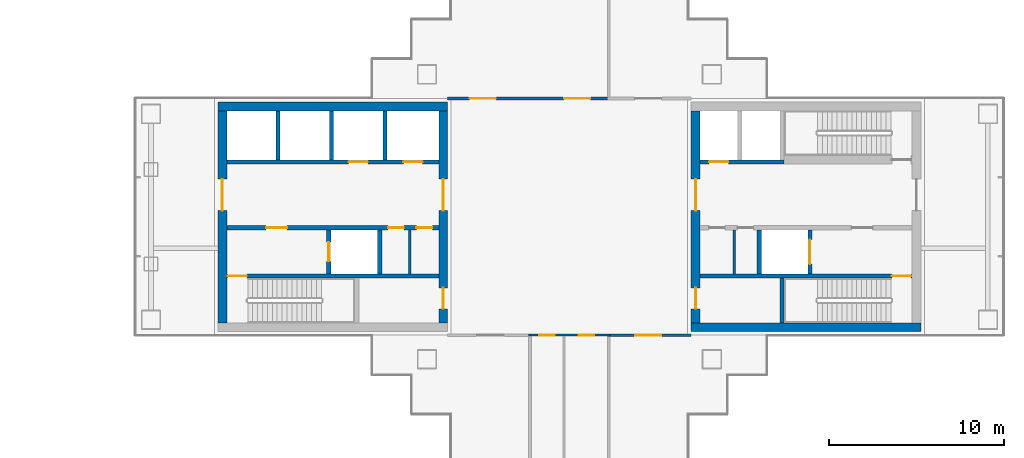
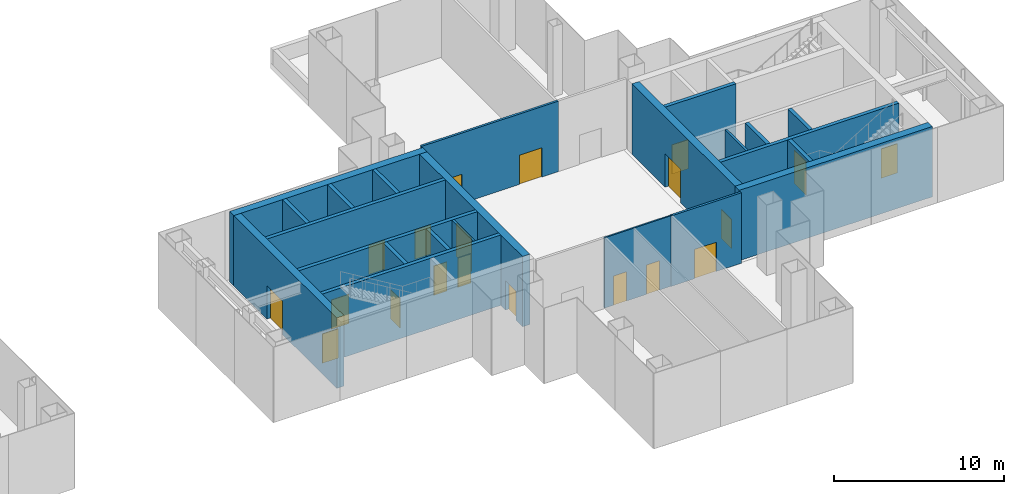
# One storey, part 11 of 15: 23 walls, 20 doors, 20 openings.
"""IFC4 building model written with IfcOpenShell, lengths in metres."""

from ifc_helpers import new_model, si_unit, direction, frame, frame_2d, origin, place, context, subcontext, project, spatial, rectangle, extrude, material, layer, layer_set, type_object, element, fill, save


model = new_model("IFC4")

# Units and contexts
model_context = context("Model", 3, precision=1e-05, world=origin(), true_north=direction((0.0, 1.0)))
body_context = subcontext(model_context, "Body", "Model", "MODEL_VIEW")
ifc_project = project(units=[si_unit("LENGTHUNIT", "METRE"), si_unit("AREAUNIT", "SQUARE_METRE"), si_unit("VOLUMEUNIT", "CUBIC_METRE"), si_unit("PLANEANGLEUNIT", "RADIAN"), si_unit("MASSUNIT", "GRAM", prefix="KILO")], contexts=[model_context])

# Site, building, storey
site_placement = place(None, origin())
site = spatial("IfcSite", under=ifc_project, at=site_placement, CompositionType="ELEMENT")
building_placement = place(site_placement, origin())
building = spatial("IfcBuilding", under=site, at=building_placement, Name="Shamsa Quay Exchange Towers", CompositionType="ELEMENT")
storey_placement = place(building_placement, frame((0.0, 0.0, 133.5)))
storey = spatial("IfcBuildingStorey", under=building, at=storey_placement, Name="L31", CompositionType="ELEMENT", Elevation=133.5)

# Wall
ifc_material_1 = material(Name="Concrete C60/75", Category="concrete")
ifc_layer_1 = layer(ifc_material_1, 0.5)
ifc_layer_set_1 = layer_set([ifc_layer_1], Name="CORE WALL 500 C60/75")
wall_type_1 = type_object("IfcWallType", Name="CORE WALL 500 C60/75", PredefinedType="SHEAR", material=ifc_layer_set_1)
wall_1_placement = place(storey_placement, frame((13.699951171875, 6.300048828125, 0.0)))
element("IfcWall", 1, at=wall_1_placement, inside=storey, type_object=wall_type_1, Name="Core wall T2A-L31-PN", PredefinedType="SHEAR", context=body_context, shape_type="SweptSolid", body=[
    extrude(rectangle(XDim=13.10009765625, YDim=0.5, at=frame_2d((6.550048828125, 0.0))), origin(), (0.0, 0.0, 1.0), 5.050048828125),
])

# Wall, opening, door
wall_2_placement = place(storey_placement, frame((13.949951171875, 6.050048828125, 0.0), z_axis=(0.0, 0.0, 1.0), x_axis=(0.0, -1.0, 0.0)))
wall_2 = element("IfcWall", 2, at=wall_2_placement, inside=storey, type_object=wall_type_1, Name="Core wall T2A-L31-PF", PredefinedType="SHEAR", context=body_context, shape_type="SweptSolid", body=[
    extrude(rectangle(XDim=12.10009765625, YDim=0.5, at=frame_2d((6.050048828125, 0.0))), origin(), (0.0, 0.0, 1.0), 5.050048828125),
])
opening_1_placement = place(wall_2_placement, frame((3.89990234375, 0.0, 0.0)))
opening_1 = element("IfcOpeningElement", 3, at=opening_1_placement, cuts=wall_2, Name="Opening T2A-L31-LBD01", PredefinedType="OPENING", context=body_context, shape_type="SweptSolid", body=[
    extrude(rectangle(XDim=1.800048828125, YDim=2.39990234375, at=frame_2d((0.89990234375, 1.199951171875))), frame((0.0, 0.260009765625, 0.0), z_axis=(0.0, -1.0, 0.0), x_axis=(1.0, 0.0, 0.0)), (0.0, 0.0, 1.0), 0.52001953125),
])
ifc_material_2 = material(Name="Steel, fire rated", Category="steel")
door_type_1 = type_object("IfcDoorType", Name="LIFT LOBBY DOOR PAIR 1800", OperationType="DOUBLE_DOOR_SINGLE_SWING", PredefinedType="DOOR", material=ifc_material_2)
door_1_placement = place(opening_1_placement, origin())
door_1 = element("IfcDoor", 4, at=door_1_placement, inside=storey, type_object=door_type_1, Name="T2A-L31-LBD01", OperationType="DOUBLE_DOOR_SINGLE_SWING", OverallHeight=2.39990234375, OverallWidth=1.800048828125, PredefinedType="DOOR", context=body_context, shape_type="SweptSolid", body=[
    extrude(rectangle(XDim=1.800048828125, YDim=2.39990234375, at=frame_2d((0.89990234375, 1.199951171875))), frame((0.0, 0.02490234375, 0.0), z_axis=(0.0, -1.0, 0.0), x_axis=(1.0, 0.0, 0.0)), (0.0, 0.0, 1.0), 0.050048828125),
])
fill(opening_1, door_1)

# Wall, openings, doors
wall_3_placement = place(storey_placement, frame((26.550048828125, 6.050048828125, 0.0), z_axis=(0.0, 0.0, 1.0), x_axis=(0.0, -1.0, 0.0)))
wall_3 = element("IfcWall", 5, at=wall_3_placement, inside=storey, type_object=wall_type_1, Name="Core wall T2A-L31-PB", PredefinedType="SHEAR", context=body_context, shape_type="SweptSolid", body=[
    extrude(rectangle(XDim=12.10009765625, YDim=0.5, at=frame_2d((6.050048828125, 0.0))), origin(), (0.0, 0.0, 1.0), 5.050048828125),
])
opening_2_placement = place(wall_3_placement, frame((10.10009765625, 0.0, 0.0)))
opening_2 = element("IfcOpeningElement", 6, at=opening_2_placement, cuts=wall_3, Name="Opening T2A-L31-RD02", PredefinedType="OPENING", context=body_context, shape_type="SweptSolid", body=[
    extrude(rectangle(XDim=1.199951171875, YDim=2.10009765625, at=frame_2d((0.60009765625, 1.050048828125))), frame((0.0, 0.260009765625, 0.0), z_axis=(0.0, -1.0, 0.0), x_axis=(1.0, 0.0, 0.0)), (0.0, 0.0, 1.0), 0.52001953125),
])
opening_3_placement = place(wall_3_placement, frame((3.89990234375, 0.0, 0.0)))
opening_3 = element("IfcOpeningElement", 7, at=opening_3_placement, cuts=wall_3, Name="Opening T2A-L31-LBD03", PredefinedType="OPENING", context=body_context, shape_type="SweptSolid", body=[
    extrude(rectangle(XDim=1.800048828125, YDim=2.39990234375, at=frame_2d((0.89990234375, 1.199951171875))), frame((0.0, 0.260009765625, 0.0), z_axis=(0.0, -1.0, 0.0), x_axis=(1.0, 0.0, 0.0)), (0.0, 0.0, 1.0), 0.52001953125),
])
door_2_placement = place(opening_3_placement, origin())
door_2 = element("IfcDoor", 8, at=door_2_placement, inside=storey, type_object=door_type_1, Name="T2A-L31-LBD03", OperationType="DOUBLE_DOOR_SINGLE_SWING", OverallHeight=2.39990234375, OverallWidth=1.800048828125, PredefinedType="DOOR", context=body_context, shape_type="SweptSolid", body=[
    extrude(rectangle(XDim=1.800048828125, YDim=2.39990234375, at=frame_2d((0.89990234375, 1.199951171875))), frame((0.0, 0.02490234375, 0.0), z_axis=(0.0, -1.0, 0.0), x_axis=(1.0, 0.0, 0.0)), (0.0, 0.0, 1.0), 0.050048828125),
])
fill(opening_3, door_2)
door_type_2 = type_object("IfcDoorType", Name="RISER ACCESS DOOR 1200", OperationType="SINGLE_SWING_LEFT", PredefinedType="DOOR", material=ifc_material_2)
door_3_placement = place(opening_2_placement, origin())
door_3 = element("IfcDoor", 9, at=door_3_placement, inside=storey, type_object=door_type_2, Name="T2A-L31-RD02", OperationType="SINGLE_SWING_RIGHT", OverallHeight=2.10009765625, OverallWidth=1.199951171875, PredefinedType="DOOR", context=body_context, shape_type="SweptSolid", body=[
    extrude(rectangle(XDim=1.199951171875, YDim=2.10009765625, at=frame_2d((0.60009765625, 1.050048828125))), frame((0.0, 0.02490234375, 0.0), z_axis=(0.0, -1.0, 0.0), x_axis=(1.0, 0.0, 0.0)), (0.0, 0.0, 1.0), 0.050048828125),
])
fill(opening_2, door_3)

# Wall
wall_4_placement = place(storey_placement, frame((53.800048828125, -6.300048828125, 0.0), z_axis=(0.0, 0.0, 1.0), x_axis=(-1.0, 0.0, 0.0)))
element("IfcWall", 10, at=wall_4_placement, inside=storey, type_object=wall_type_1, Name="Core wall T2B-L31-PS", PredefinedType="SHEAR", context=body_context, shape_type="SweptSolid", body=[
    extrude(rectangle(XDim=13.10009765625, YDim=0.5, at=frame_2d((6.550048828125, 0.0))), origin(), (0.0, 0.0, 1.0), 5.050048828125),
])

# Wall, openings, doors
wall_5_placement = place(storey_placement, frame((40.949951171875, -6.050048828125, 0.0), z_axis=(0.0, 0.0, 1.0), x_axis=(0.0, 1.0, 0.0)))
wall_5 = element("IfcWall", 11, at=wall_5_placement, inside=storey, type_object=wall_type_1, Name="Core wall T2B-L31-PB", PredefinedType="SHEAR", context=body_context, shape_type="SweptSolid", body=[
    extrude(rectangle(XDim=12.10009765625, YDim=0.5, at=frame_2d((6.050048828125, 0.0))), origin(), (0.0, 0.0, 1.0), 5.050048828125),
])
opening_4_placement = place(wall_5_placement, frame((0.800048828125, 0.0, 0.0)))
opening_4 = element("IfcOpeningElement", 12, at=opening_4_placement, cuts=wall_5, Name="Opening T2B-L31-RD02", PredefinedType="OPENING", context=body_context, shape_type="SweptSolid", body=[
    extrude(rectangle(XDim=1.199951171875, YDim=2.10009765625, at=frame_2d((0.60009765625, 1.050048828125))), frame((0.0, 0.260009765625, 0.0), z_axis=(0.0, -1.0, 0.0), x_axis=(1.0, 0.0, 0.0)), (0.0, 0.0, 1.0), 0.52001953125),
])
opening_5_placement = place(wall_5_placement, frame((6.39990234375, 0.0, 0.0)))
opening_5 = element("IfcOpeningElement", 13, at=opening_5_placement, cuts=wall_5, Name="Opening T2B-L31-LBD03", PredefinedType="OPENING", context=body_context, shape_type="SweptSolid", body=[
    extrude(rectangle(XDim=1.800048828125, YDim=2.39990234375, at=frame_2d((0.89990234375, 1.199951171875))), frame((0.0, 0.260009765625, 0.0), z_axis=(0.0, -1.0, 0.0), x_axis=(1.0, 0.0, 0.0)), (0.0, 0.0, 1.0), 0.52001953125),
])
door_4_placement = place(opening_5_placement, origin())
door_4 = element("IfcDoor", 14, at=door_4_placement, inside=storey, type_object=door_type_1, Name="T2B-L31-LBD03", OperationType="DOUBLE_DOOR_SINGLE_SWING", OverallHeight=2.39990234375, OverallWidth=1.800048828125, PredefinedType="DOOR", context=body_context, shape_type="SweptSolid", body=[
    extrude(rectangle(XDim=1.800048828125, YDim=2.39990234375, at=frame_2d((0.89990234375, 1.199951171875))), frame((0.0, 0.02490234375, 0.0), z_axis=(0.0, -1.0, 0.0), x_axis=(1.0, 0.0, 0.0)), (0.0, 0.0, 1.0), 0.050048828125),
])
fill(opening_5, door_4)
door_5_placement = place(opening_4_placement, origin())
door_5 = element("IfcDoor", 15, at=door_5_placement, inside=storey, type_object=door_type_2, Name="T2B-L31-RD02", OperationType="SINGLE_SWING_LEFT", OverallHeight=2.10009765625, OverallWidth=1.199951171875, PredefinedType="DOOR", context=body_context, shape_type="SweptSolid", body=[
    extrude(rectangle(XDim=1.199951171875, YDim=2.10009765625, at=frame_2d((0.60009765625, 1.050048828125))), frame((0.0, 0.02490234375, 0.0), z_axis=(0.0, -1.0, 0.0), x_axis=(1.0, 0.0, 0.0)), (0.0, 0.0, 1.0), 0.050048828125),
])
fill(opening_4, door_5)

# Walls
ifc_material_3 = material(Name="Gypsum board on steel studs, EI 60", Category="steel")
ifc_layer_2 = layer(ifc_material_3, 0.14990234375)
ifc_layer_set_2 = layer_set([ifc_layer_2], Name="FIRE PARTITION 150")
wall_type_2 = type_object("IfcWallType", Name="FIRE PARTITION 150", PredefinedType="PARTITIONING", material=ifc_layer_set_2)
for number, where, z_axis, x_axis, name in (
    (16, (24.64990234375, -3.25, 0.0), (0.0, 0.0, 1.0), (0.0, 1.0, 0.0), "Partition T2A-L31-EC0"),
    (17, (43.14990234375, -3.25, 0.0), (0.0, 0.0, 1.0), (0.0, 1.0, 0.0), "Partition T2B-L31-EC0"),
):
    element("IfcWall", number, at=place(storey_placement, frame(where, z_axis=z_axis, x_axis=x_axis)), inside=storey, type_object=wall_type_2, Name=name, PredefinedType="PARTITIONING", context=body_context, shape_type="SweptSolid", body=[
        extrude(rectangle(XDim=2.5, YDim=0.14990234375, at=frame_2d((1.25, 0.0))), origin(), (0.0, 0.0, 1.0), 5.050048828125),
    ])

# Wall, openings, doors
ifc_material_4 = material(Name="Gypsum board partition on metal studs")
ifc_layer_3 = layer(ifc_material_4, 0.10009765625)
ifc_layer_set_3 = layer_set([ifc_layer_3], Name="Partition 100 mm NOT RATED")
wall_type_3 = type_object("IfcWallType", Name="Partition 100 mm NOT RATED", PredefinedType="PARTITIONING", material=ifc_layer_set_3)
wall_6_placement = place(storey_placement, frame((36.074951171875, -6.75, 0.0), z_axis=(0.0, 0.0, 1.0), x_axis=(-1.0, 0.0, 0.0)))
wall_6 = element("IfcWall", 18, at=wall_6_placement, inside=storey, type_object=wall_type_3, Name="Partition T2-L31-W05", PredefinedType="PARTITIONING", context=body_context, shape_type="SweptSolid", body=[
    extrude(rectangle(XDim=4.64990234375, YDim=0.10009765625, at=frame_2d((2.324951171875, 0.0))), origin(), (0.0, 0.0, 1.0), 5.050048828125),
])
opening_6_placement = place(wall_6_placement, frame((3.15625, 0.0, 0.0)))
opening_6 = element("IfcOpeningElement", 19, at=opening_6_placement, cuts=wall_6, Name="Opening T2-L31-D03", PredefinedType="OPENING", context=body_context, shape_type="SweptSolid", body=[
    extrude(rectangle(XDim=0.89990234375, YDim=2.10009765625, at=frame_2d((0.449951171875, 1.050048828125))), frame((0.0, 0.06005859375, 0.0), z_axis=(0.0, -1.0, 0.0), x_axis=(1.0, 0.0, 0.0)), (0.0, 0.0, 1.0), 0.1201171875),
])
opening_7_placement = place(wall_6_placement, frame((0.90625, 0.0, 0.0)))
opening_7 = element("IfcOpeningElement", 20, at=opening_7_placement, cuts=wall_6, Name="Opening T2-L31-D04", PredefinedType="OPENING", context=body_context, shape_type="SweptSolid", body=[
    extrude(rectangle(XDim=0.89990234375, YDim=2.10009765625, at=frame_2d((0.449951171875, 1.050048828125))), frame((0.0, 0.06005859375, 0.0), z_axis=(0.0, -1.0, 0.0), x_axis=(1.0, 0.0, 0.0)), (0.0, 0.0, 1.0), 0.1201171875),
])
ifc_material_5 = material(Name="Timber door leaf in a metal frame", Category="wood")
door_type_3 = type_object("IfcDoorType", Name="Door 900x2100 NOT RATED", OperationType="NOTDEFINED", PredefinedType="DOOR", material=ifc_material_5)
door_6_placement = place(opening_6_placement, origin())
door_6 = element("IfcDoor", 21, at=door_6_placement, inside=storey, type_object=door_type_3, Name="Door T2-L31-D03", OperationType="SINGLE_SWING_RIGHT", OverallHeight=2.10009765625, OverallWidth=0.89990234375, PredefinedType="DOOR", context=body_context, shape_type="SweptSolid", body=[
    extrude(rectangle(XDim=0.89990234375, YDim=2.10009765625, at=frame_2d((0.449951171875, 1.050048828125))), frame((0.0, 0.02490234375, 0.0), z_axis=(0.0, -1.0, 0.0), x_axis=(1.0, 0.0, 0.0)), (0.0, 0.0, 1.0), 0.050048828125),
])
fill(opening_6, door_6)
door_7_placement = place(opening_7_placement, origin())
door_7 = element("IfcDoor", 22, at=door_7_placement, inside=storey, type_object=door_type_3, Name="Door T2-L31-D04", OperationType="SINGLE_SWING_RIGHT", OverallHeight=2.10009765625, OverallWidth=0.89990234375, PredefinedType="DOOR", context=body_context, shape_type="SweptSolid", body=[
    extrude(rectangle(XDim=0.89990234375, YDim=2.10009765625, at=frame_2d((0.449951171875, 1.050048828125))), frame((0.0, 0.02490234375, 0.0), z_axis=(0.0, -1.0, 0.0), x_axis=(1.0, 0.0, 0.0)), (0.0, 0.0, 1.0), 0.050048828125),
])
fill(opening_7, door_7)

ifc_layer_4 = layer(ifc_material_4, 0.14990234375)
ifc_layer_set_4 = layer_set([ifc_layer_4], Name="Partition 150 mm EI 60")
wall_type_4 = type_object("IfcWallType", Name="Partition 150 mm EI 60", PredefinedType="PARTITIONING", material=ifc_layer_set_4)
wall_7_placement = place(storey_placement, frame((36.074951171875, 6.75, 0.0), z_axis=(0.0, 0.0, 1.0), x_axis=(-1.0, 0.0, 0.0)))
wall_7 = element("IfcWall", 23, at=wall_7_placement, inside=storey, type_object=wall_type_4, Name="Partition T2-L31-W02", PredefinedType="PARTITIONING", context=body_context, shape_type="SweptSolid", body=[
    extrude(rectangle(XDim=9.27490234375, YDim=0.14990234375, at=frame_2d((4.637451171875, 0.0))), origin(), (0.0, 0.0, 1.0), 5.050048828125),
])
opening_8_placement = place(wall_7_placement, frame((6.52490234375, 0.0, 0.0)))
opening_8 = element("IfcOpeningElement", 24, at=opening_8_placement, cuts=wall_7, Name="Opening T2-L31-D06", PredefinedType="OPENING", context=body_context, shape_type="SweptSolid", body=[
    extrude(rectangle(XDim=1.5, YDim=2.10009765625, at=frame_2d((0.75, 1.050048828125))), frame((0.0, 0.0849609375, 0.0), z_axis=(0.0, -1.0, 0.0), x_axis=(1.0, 0.0, 0.0)), (0.0, 0.0, 1.0), 0.169921875),
])
opening_9_placement = place(wall_7_placement, frame((1.125, 0.0, 0.0)))
opening_9 = element("IfcOpeningElement", 25, at=opening_9_placement, cuts=wall_7, Name="Opening T2-L31-D07", PredefinedType="OPENING", context=body_context, shape_type="SweptSolid", body=[
    extrude(rectangle(XDim=1.5, YDim=2.10009765625, at=frame_2d((0.75, 1.050048828125))), frame((0.0, 0.0849609375, 0.0), z_axis=(0.0, -1.0, 0.0), x_axis=(1.0, 0.0, 0.0)), (0.0, 0.0, 1.0), 0.169921875),
])
door_type_4 = type_object("IfcDoorType", Name="Door 1500x2100 FD30S pair", OperationType="NOTDEFINED", PredefinedType="DOOR", material=ifc_material_5)
door_8_placement = place(opening_8_placement, origin())
door_8 = element("IfcDoor", 26, at=door_8_placement, inside=storey, type_object=door_type_4, Name="Door T2-L31-D06", OperationType="DOUBLE_DOOR_SINGLE_SWING", OverallHeight=2.10009765625, OverallWidth=1.5, PredefinedType="DOOR", context=body_context, shape_type="SweptSolid", body=[
    extrude(rectangle(XDim=1.5, YDim=2.10009765625, at=frame_2d((0.75, 1.050048828125))), frame((0.0, 0.02490234375, 0.0), z_axis=(0.0, -1.0, 0.0), x_axis=(1.0, 0.0, 0.0)), (0.0, 0.0, 1.0), 0.050048828125),
])
fill(opening_8, door_8)
door_9_placement = place(opening_9_placement, origin())
door_9 = element("IfcDoor", 27, at=door_9_placement, inside=storey, type_object=door_type_4, Name="Door T2-L31-D07", OperationType="DOUBLE_DOOR_SINGLE_SWING", OverallHeight=2.10009765625, OverallWidth=1.5, PredefinedType="DOOR", context=body_context, shape_type="SweptSolid", body=[
    extrude(rectangle(XDim=1.5, YDim=2.10009765625, at=frame_2d((0.75, 1.050048828125))), frame((0.0, 0.02490234375, 0.0), z_axis=(0.0, -1.0, 0.0), x_axis=(1.0, 0.0, 0.0)), (0.0, 0.0, 1.0), 0.050048828125),
])
fill(opening_9, door_9)

# Wall, opening, door
wall_8_placement = place(storey_placement, frame((40.699951171875, -6.75, 0.0), z_axis=(0.0, 0.0, 1.0), x_axis=(-1.0, 0.0, 0.0)))
wall_8 = element("IfcWall", 28, at=wall_8_placement, inside=storey, type_object=wall_type_4, Name="Partition T2-L31-W04", PredefinedType="PARTITIONING", context=body_context, shape_type="SweptSolid", body=[
    extrude(rectangle(XDim=4.77490234375, YDim=0.14990234375, at=frame_2d((2.387451171875, 0.0))), origin(), (0.0, 0.0, 1.0), 5.050048828125),
])
opening_10_placement = place(wall_8_placement, frame((1.699951171875, 0.0, 0.0)))
opening_10 = element("IfcOpeningElement", 29, at=opening_10_placement, cuts=wall_8, Name="Opening T2-L31-D02", PredefinedType="OPENING", context=body_context, shape_type="SweptSolid", body=[
    extrude(rectangle(XDim=1.5, YDim=2.10009765625, at=frame_2d((0.75, 1.050048828125))), frame((0.0, 0.0849609375, 0.0), z_axis=(0.0, -1.0, 0.0), x_axis=(1.0, 0.0, 0.0)), (0.0, 0.0, 1.0), 0.169921875),
])
door_10_placement = place(opening_10_placement, origin())
door_10 = element("IfcDoor", 30, at=door_10_placement, inside=storey, type_object=door_type_4, Name="Door T2-L31-D02", OperationType="DOUBLE_DOOR_SINGLE_SWING", OverallHeight=2.10009765625, OverallWidth=1.5, PredefinedType="DOOR", context=body_context, shape_type="SweptSolid", body=[
    extrude(rectangle(XDim=1.5, YDim=2.10009765625, at=frame_2d((0.75, 1.050048828125))), frame((0.0, 0.02490234375, 0.0), z_axis=(0.0, -1.0, 0.0), x_axis=(1.0, 0.0, 0.0)), (0.0, 0.0, 1.0), 0.050048828125),
])
fill(opening_10, door_10)

ifc_material_6 = material(Name="Concrete C50/60", Category="concrete")
ifc_layer_5 = layer(ifc_material_6, 0.25)
ifc_layer_set_5 = layer_set([ifc_layer_5], Name="SHAFT WALL 250 C50/60")
wall_type_5 = type_object("IfcWallType", Name="SHAFT WALL 250 C50/60", PredefinedType="SHEAR", material=ifc_layer_set_5)
wall_9_placement = place(storey_placement, frame((26.300048828125, -3.375, 0.0), z_axis=(0.0, 0.0, 1.0), x_axis=(-1.0, 0.0, 0.0)))
wall_9 = element("IfcWall", 31, at=wall_9_placement, inside=storey, type_object=wall_type_5, Name="Shaft wall T2A-L31-STL", PredefinedType="SHEAR", context=body_context, shape_type="SweptSolid", body=[
    extrude(rectangle(XDim=12.10009765625, YDim=0.25, at=frame_2d((6.050048828125, 0.0))), origin(), (0.0, 0.0, 1.0), 5.050048828125),
])
opening_11_placement = place(wall_9_placement, frame((10.949951171875, 0.0, 0.0)))
opening_11 = element("IfcOpeningElement", 32, at=opening_11_placement, cuts=wall_9, Name="Opening T2A-L31-SD04", PredefinedType="OPENING", context=body_context, shape_type="SweptSolid", body=[
    extrude(rectangle(XDim=1.10009765625, YDim=2.10009765625, at=frame_2d((0.550048828125, 1.050048828125))), frame((0.0, 0.135009765625, 0.0), z_axis=(0.0, -1.0, 0.0), x_axis=(1.0, 0.0, 0.0)), (0.0, 0.0, 1.0), 0.27001953125),
])
door_type_5 = type_object("IfcDoorType", Name="STAIR DOOR 1100", OperationType="SINGLE_SWING_LEFT", PredefinedType="DOOR", material=ifc_material_2)
door_11_placement = place(opening_11_placement, origin())
door_11 = element("IfcDoor", 33, at=door_11_placement, inside=storey, type_object=door_type_5, Name="T2A-L31-SD04", OperationType="SINGLE_SWING_RIGHT", OverallHeight=2.10009765625, OverallWidth=1.10009765625, PredefinedType="DOOR", context=body_context, shape_type="SweptSolid", body=[
    extrude(rectangle(XDim=1.10009765625, YDim=2.10009765625, at=frame_2d((0.550048828125, 1.050048828125))), frame((0.0, 0.02490234375, 0.0), z_axis=(0.0, -1.0, 0.0), x_axis=(1.0, 0.0, 0.0)), (0.0, 0.0, 1.0), 0.050048828125),
])
fill(opening_11, door_11)

# Wall, openings, doors
wall_10_placement = place(storey_placement, frame((26.300048828125, -0.625, 0.0), z_axis=(0.0, 0.0, 1.0), x_axis=(-1.0, 0.0, 0.0)))
wall_10 = element("IfcWall", 34, at=wall_10_placement, inside=storey, type_object=wall_type_5, Name="Shaft wall T2A-L31-B", PredefinedType="SHEAR", context=body_context, shape_type="SweptSolid", body=[
    extrude(rectangle(XDim=12.10009765625, YDim=0.25, at=frame_2d((6.050048828125, 0.0))), origin(), (0.0, 0.0, 1.0), 5.050048828125),
])
opening_12_placement = place(wall_10_placement, frame((8.64990234375, 0.0, 0.0)))
opening_12 = element("IfcOpeningElement", 35, at=opening_12_placement, cuts=wall_10, Name="Opening T2A-L31-FD05", PredefinedType="OPENING", context=body_context, shape_type="SweptSolid", body=[
    extrude(rectangle(XDim=1.199951171875, YDim=2.10009765625, at=frame_2d((0.60009765625, 1.050048828125))), frame((0.0, 0.135009765625, 0.0), z_axis=(0.0, -1.0, 0.0), x_axis=(1.0, 0.0, 0.0)), (0.0, 0.0, 1.0), 0.27001953125),
])
opening_13_placement = place(wall_10_placement, frame((2.0, 0.0, 0.0)))
opening_13 = element("IfcOpeningElement", 36, at=opening_13_placement, cuts=wall_10, Name="Opening T2A-L31-SV06", PredefinedType="OPENING", context=body_context, shape_type="SweptSolid", body=[
    extrude(rectangle(XDim=0.89990234375, YDim=2.10009765625, at=frame_2d((0.449951171875, 1.050048828125))), frame((0.0, 0.135009765625, 0.0), z_axis=(0.0, -1.0, 0.0), x_axis=(1.0, 0.0, 0.0)), (0.0, 0.0, 1.0), 0.27001953125),
])
opening_14_placement = place(wall_10_placement, frame((0.375, 0.0, 0.0)))
opening_14 = element("IfcOpeningElement", 37, at=opening_14_placement, cuts=wall_10, Name="Opening T2A-L31-SV07", PredefinedType="OPENING", context=body_context, shape_type="SweptSolid", body=[
    extrude(rectangle(XDim=0.89990234375, YDim=2.10009765625, at=frame_2d((0.449951171875, 1.050048828125))), frame((0.0, 0.135009765625, 0.0), z_axis=(0.0, -1.0, 0.0), x_axis=(1.0, 0.0, 0.0)), (0.0, 0.0, 1.0), 0.27001953125),
])
door_type_6 = type_object("IfcDoorType", Name="FIRE SERVICE LOBBY DOOR 1200", OperationType="SINGLE_SWING_LEFT", PredefinedType="DOOR", material=ifc_material_2)
door_12_placement = place(opening_12_placement, origin())
door_12 = element("IfcDoor", 38, at=door_12_placement, inside=storey, type_object=door_type_6, Name="T2A-L31-FD05", OperationType="SINGLE_SWING_RIGHT", OverallHeight=2.10009765625, OverallWidth=1.199951171875, PredefinedType="DOOR", context=body_context, shape_type="SweptSolid", body=[
    extrude(rectangle(XDim=1.199951171875, YDim=2.10009765625, at=frame_2d((0.60009765625, 1.050048828125))), frame((0.0, 0.02490234375, 0.0), z_axis=(0.0, -1.0, 0.0), x_axis=(1.0, 0.0, 0.0)), (0.0, 0.0, 1.0), 0.050048828125),
])
fill(opening_12, door_12)
door_type_7 = type_object("IfcDoorType", Name="SERVICE ROOM DOOR 900", OperationType="SINGLE_SWING_LEFT", PredefinedType="DOOR", material=ifc_material_2)
door_13_placement = place(opening_13_placement, origin())
door_13 = element("IfcDoor", 39, at=door_13_placement, inside=storey, type_object=door_type_7, Name="T2A-L31-SV06", OperationType="SINGLE_SWING_LEFT", OverallHeight=2.10009765625, OverallWidth=0.89990234375, PredefinedType="DOOR", context=body_context, shape_type="SweptSolid", body=[
    extrude(rectangle(XDim=0.89990234375, YDim=2.10009765625, at=frame_2d((0.449951171875, 1.050048828125))), frame((0.0, 0.02490234375, 0.0), z_axis=(0.0, -1.0, 0.0), x_axis=(1.0, 0.0, 0.0)), (0.0, 0.0, 1.0), 0.050048828125),
])
fill(opening_13, door_13)
door_14_placement = place(opening_14_placement, origin())
door_14 = element("IfcDoor", 40, at=door_14_placement, inside=storey, type_object=door_type_7, Name="T2A-L31-SV07", OperationType="SINGLE_SWING_LEFT", OverallHeight=2.10009765625, OverallWidth=0.89990234375, PredefinedType="DOOR", context=body_context, shape_type="SweptSolid", body=[
    extrude(rectangle(XDim=0.89990234375, YDim=2.10009765625, at=frame_2d((0.449951171875, 1.050048828125))), frame((0.0, 0.02490234375, 0.0), z_axis=(0.0, -1.0, 0.0), x_axis=(1.0, 0.0, 0.0)), (0.0, 0.0, 1.0), 0.050048828125),
])
fill(opening_14, door_14)

# Wall, opening, door
wall_11_placement = place(storey_placement, frame((20.02490234375, -3.25, 0.0), z_axis=(0.0, 0.0, 1.0), x_axis=(0.0, 1.0, 0.0)))
wall_11 = element("IfcWall", 41, at=wall_11_placement, inside=storey, type_object=wall_type_5, Name="Shaft wall T2A-L31-FFF", PredefinedType="SHEAR", context=body_context, shape_type="SweptSolid", body=[
    extrude(rectangle(XDim=2.5, YDim=0.25, at=frame_2d((1.25, 0.0))), origin(), (0.0, 0.0, 1.0), 5.050048828125),
])
opening_15_placement = place(wall_11_placement, frame((0.699951171875, 0.0, 0.0)))
opening_15 = element("IfcOpeningElement", 42, at=opening_15_placement, cuts=wall_11, Name="Opening T2A-L31-LDF08", PredefinedType="OPENING", context=body_context, shape_type="SweptSolid", body=[
    extrude(rectangle(XDim=1.10009765625, YDim=2.10009765625, at=frame_2d((0.550048828125, 1.050048828125))), frame((0.0, 0.135009765625, 0.0), z_axis=(0.0, -1.0, 0.0), x_axis=(1.0, 0.0, 0.0)), (0.0, 0.0, 1.0), 0.27001953125),
])
door_type_8 = type_object("IfcDoorType", Name="FIRE SERVICE LANDING DOOR 1100", OperationType="SLIDING_TO_LEFT", PredefinedType="DOOR", material=ifc_material_2)
door_15_placement = place(opening_15_placement, origin())
door_15 = element("IfcDoor", 43, at=door_15_placement, inside=storey, type_object=door_type_8, Name="T2A-L31-LDF08", OperationType="SLIDING_TO_LEFT", OverallHeight=2.10009765625, OverallWidth=1.10009765625, PredefinedType="DOOR", context=body_context, shape_type="SweptSolid", body=[
    extrude(rectangle(XDim=1.10009765625, YDim=2.10009765625, at=frame_2d((0.550048828125, 1.050048828125))), frame((0.0, 0.02490234375, 0.0), z_axis=(0.0, -1.0, 0.0), x_axis=(1.0, 0.0, 0.0)), (0.0, 0.0, 1.0), 0.050048828125),
])
fill(opening_15, door_15)

# Wall
wall_12_placement = place(storey_placement, frame((22.925048828125, -3.25, 0.0), z_axis=(0.0, 0.0, 1.0), x_axis=(0.0, 1.0, 0.0)))
element("IfcWall", 44, at=wall_12_placement, inside=storey, type_object=wall_type_5, Name="Shaft wall T2A-L31-FFB", PredefinedType="SHEAR", context=body_context, shape_type="SweptSolid", body=[
    extrude(rectangle(XDim=2.5, YDim=0.25, at=frame_2d((1.25, 0.0))), origin(), (0.0, 0.0, 1.0), 5.050048828125),
])

# Wall, openings, doors
wall_13_placement = place(storey_placement, frame((14.199951171875, 3.125, 0.0)))
wall_13 = element("IfcWall", 45, at=wall_13_placement, inside=storey, type_object=wall_type_5, Name="Shaft wall T2A-L31-N", PredefinedType="SHEAR", context=body_context, shape_type="SweptSolid", body=[
    extrude(rectangle(XDim=12.10009765625, YDim=0.25, at=frame_2d((6.050048828125, 0.0))), origin(), (0.0, 0.0, 1.0), 5.050048828125),
])
opening_16_placement = place(wall_13_placement, frame((6.949951171875, 0.0, 0.0)))
opening_16 = element("IfcOpeningElement", 46, at=opening_16_placement, cuts=wall_13, Name="Opening T2A-L31-LD09", PredefinedType="OPENING", context=body_context, shape_type="SweptSolid", body=[
    extrude(rectangle(XDim=1.10009765625, YDim=2.10009765625, at=frame_2d((0.550048828125, 1.050048828125))), frame((0.0, 0.135009765625, 0.0), z_axis=(0.0, -1.0, 0.0), x_axis=(1.0, 0.0, 0.0)), (0.0, 0.0, 1.0), 0.27001953125),
])
opening_17_placement = place(wall_13_placement, frame((10.074951171875, 0.0, 0.0)))
opening_17 = element("IfcOpeningElement", 47, at=opening_17_placement, cuts=wall_13, Name="Opening T2A-L31-LD10", PredefinedType="OPENING", context=body_context, shape_type="SweptSolid", body=[
    extrude(rectangle(XDim=1.10009765625, YDim=2.10009765625, at=frame_2d((0.550048828125, 1.050048828125))), frame((0.0, 0.135009765625, 0.0), z_axis=(0.0, -1.0, 0.0), x_axis=(1.0, 0.0, 0.0)), (0.0, 0.0, 1.0), 0.27001953125),
])
door_type_9 = type_object("IfcDoorType", Name="LANDING DOOR 1100", OperationType="SLIDING_TO_LEFT", PredefinedType="DOOR", material=ifc_material_2)
door_16_placement = place(opening_16_placement, origin())
door_16 = element("IfcDoor", 48, at=door_16_placement, inside=storey, type_object=door_type_9, Name="T2A-L31-LD09", OperationType="SLIDING_TO_LEFT", OverallHeight=2.10009765625, OverallWidth=1.10009765625, PredefinedType="DOOR", context=body_context, shape_type="SweptSolid", body=[
    extrude(rectangle(XDim=1.10009765625, YDim=2.10009765625, at=frame_2d((0.550048828125, 1.050048828125))), frame((0.0, 0.02490234375, 0.0), z_axis=(0.0, -1.0, 0.0), x_axis=(1.0, 0.0, 0.0)), (0.0, 0.0, 1.0), 0.050048828125),
])
fill(opening_16, door_16)
door_17_placement = place(opening_17_placement, origin())
door_17 = element("IfcDoor", 49, at=door_17_placement, inside=storey, type_object=door_type_9, Name="T2A-L31-LD10", OperationType="SLIDING_TO_LEFT", OverallHeight=2.10009765625, OverallWidth=1.10009765625, PredefinedType="DOOR", context=body_context, shape_type="SweptSolid", body=[
    extrude(rectangle(XDim=1.10009765625, YDim=2.10009765625, at=frame_2d((0.550048828125, 1.050048828125))), frame((0.0, 0.02490234375, 0.0), z_axis=(0.0, -1.0, 0.0), x_axis=(1.0, 0.0, 0.0)), (0.0, 0.0, 1.0), 0.050048828125),
])
fill(opening_17, door_17)

# Walls
for number, where, z_axis, x_axis, name in (
    (50, (17.125, 3.25, 0.0), (0.0, 0.0, 1.0), (0.0, 1.0, 0.0), "Shaft wall T2A-L31-D0"),
    (51, (20.175048828125, 3.25, 0.0), (0.0, 0.0, 1.0), (0.0, 1.0, 0.0), "Shaft wall T2A-L31-D1"),
    (52, (23.22509765625, 3.25, 0.0), (0.0, 0.0, 1.0), (0.0, 1.0, 0.0), "Shaft wall T2A-L31-D2"),
):
    element("IfcWall", number, at=place(storey_placement, frame(where, z_axis=z_axis, x_axis=x_axis)), inside=storey, type_object=wall_type_5, Name=name, PredefinedType="SHEAR", context=body_context, shape_type="SweptSolid", body=[
        extrude(rectangle(XDim=2.800048828125, YDim=0.25, at=frame_2d((1.39990234375, 0.0))), origin(), (0.0, 0.0, 1.0), 5.050048828125),
    ])

# Wall, opening, door
wall_14_placement = place(storey_placement, frame((53.300048828125, -3.375, 0.0), z_axis=(0.0, 0.0, 1.0), x_axis=(-1.0, 0.0, 0.0)))
wall_14 = element("IfcWall", 53, at=wall_14_placement, inside=storey, type_object=wall_type_5, Name="Shaft wall T2B-L31-STL", PredefinedType="SHEAR", context=body_context, shape_type="SweptSolid", body=[
    extrude(rectangle(XDim=12.10009765625, YDim=0.25, at=frame_2d((6.050048828125, 0.0))), origin(), (0.0, 0.0, 1.0), 5.050048828125),
])
opening_18_placement = place(wall_14_placement, frame((0.050048828125, 0.0, 0.0)))
opening_18 = element("IfcOpeningElement", 54, at=opening_18_placement, cuts=wall_14, Name="Opening T2B-L31-SD04", PredefinedType="OPENING", context=body_context, shape_type="SweptSolid", body=[
    extrude(rectangle(XDim=1.10009765625, YDim=2.10009765625, at=frame_2d((0.550048828125, 1.050048828125))), frame((0.0, 0.135009765625, 0.0), z_axis=(0.0, -1.0, 0.0), x_axis=(1.0, 0.0, 0.0)), (0.0, 0.0, 1.0), 0.27001953125),
])
door_18_placement = place(opening_18_placement, origin())
door_18 = element("IfcDoor", 55, at=door_18_placement, inside=storey, type_object=door_type_5, Name="T2B-L31-SD04", OperationType="SINGLE_SWING_LEFT", OverallHeight=2.10009765625, OverallWidth=1.10009765625, PredefinedType="DOOR", context=body_context, shape_type="SweptSolid", body=[
    extrude(rectangle(XDim=1.10009765625, YDim=2.10009765625, at=frame_2d((0.550048828125, 1.050048828125))), frame((0.0, 0.02490234375, 0.0), z_axis=(0.0, -1.0, 0.0), x_axis=(1.0, 0.0, 0.0)), (0.0, 0.0, 1.0), 0.050048828125),
])
fill(opening_18, door_18)

# Wall
wall_15_placement = place(storey_placement, frame((45.875, -6.050048828125, 0.0), z_axis=(0.0, 0.0, 1.0), x_axis=(0.0, 1.0, 0.0)))
element("IfcWall", 56, at=wall_15_placement, inside=storey, type_object=wall_type_5, Name="Shaft wall T2B-L31-STF", PredefinedType="SHEAR", context=body_context, shape_type="SweptSolid", body=[
    extrude(rectangle(XDim=2.550048828125, YDim=0.25, at=frame_2d((1.27490234375, 0.0))), origin(), (0.0, 0.0, 1.0), 5.050048828125),
])

# Wall, opening, door
wall_16_placement = place(storey_placement, frame((47.47509765625, -3.25, 0.0), z_axis=(0.0, 0.0, 1.0), x_axis=(0.0, 1.0, 0.0)))
wall_16 = element("IfcWall", 57, at=wall_16_placement, inside=storey, type_object=wall_type_5, Name="Shaft wall T2B-L31-FFF", PredefinedType="SHEAR", context=body_context, shape_type="SweptSolid", body=[
    extrude(rectangle(XDim=2.5, YDim=0.25, at=frame_2d((1.25, 0.0))), origin(), (0.0, 0.0, 1.0), 5.050048828125),
])
opening_19_placement = place(wall_16_placement, frame((0.550048828125, 0.0, 0.0)))
opening_19 = element("IfcOpeningElement", 58, at=opening_19_placement, cuts=wall_16, Name="Opening T2B-L31-LDG08", PredefinedType="OPENING", context=body_context, shape_type="SweptSolid", body=[
    extrude(rectangle(XDim=1.39990234375, YDim=2.39990234375, at=frame_2d((0.699951171875, 1.199951171875))), frame((0.0, 0.135009765625, 0.0), z_axis=(0.0, -1.0, 0.0), x_axis=(1.0, 0.0, 0.0)), (0.0, 0.0, 1.0), 0.27001953125),
])
door_type_10 = type_object("IfcDoorType", Name="GOODS LIFT LANDING DOOR 1400", OperationType="SLIDING_TO_LEFT", PredefinedType="DOOR", material=ifc_material_2)
door_19_placement = place(opening_19_placement, origin())
door_19 = element("IfcDoor", 59, at=door_19_placement, inside=storey, type_object=door_type_10, Name="T2B-L31-LDG08", OperationType="SLIDING_TO_LEFT", OverallHeight=2.39990234375, OverallWidth=1.39990234375, PredefinedType="DOOR", context=body_context, shape_type="SweptSolid", body=[
    extrude(rectangle(XDim=1.39990234375, YDim=2.39990234375, at=frame_2d((0.699951171875, 1.199951171875))), frame((0.0, 0.02490234375, 0.0), z_axis=(0.0, -1.0, 0.0), x_axis=(1.0, 0.0, 0.0)), (0.0, 0.0, 1.0), 0.050048828125),
])
fill(opening_19, door_19)

# Wall
wall_17_placement = place(storey_placement, frame((44.574951171875, -3.25, 0.0), z_axis=(0.0, 0.0, 1.0), x_axis=(0.0, 1.0, 0.0)))
element("IfcWall", 60, at=wall_17_placement, inside=storey, type_object=wall_type_5, Name="Shaft wall T2B-L31-FFB", PredefinedType="SHEAR", context=body_context, shape_type="SweptSolid", body=[
    extrude(rectangle(XDim=2.5, YDim=0.25, at=frame_2d((1.25, 0.0))), origin(), (0.0, 0.0, 1.0), 5.050048828125),
])

# Wall, opening, door
wall_18_placement = place(storey_placement, frame((46.0, 3.125, 0.0), z_axis=(0.0, 0.0, 1.0), x_axis=(-1.0, 0.0, 0.0)))
wall_18 = element("IfcWall", 61, at=wall_18_placement, inside=storey, type_object=wall_type_5, Name="Shaft wall T2B-L31-N2", PredefinedType="SHEAR", context=body_context, shape_type="SweptSolid", body=[
    extrude(rectangle(XDim=4.800048828125, YDim=0.25, at=frame_2d((2.39990234375, 0.0))), origin(), (0.0, 0.0, 1.0), 5.050048828125),
])
opening_20_placement = place(wall_18_placement, frame((3.175048828125, 0.0, 0.0)))
opening_20 = element("IfcOpeningElement", 62, at=opening_20_placement, cuts=wall_18, Name="Opening T2B-L31-LD10", PredefinedType="OPENING", context=body_context, shape_type="SweptSolid", body=[
    extrude(rectangle(XDim=1.10009765625, YDim=2.10009765625, at=frame_2d((0.550048828125, 1.050048828125))), frame((0.0, 0.135009765625, 0.0), z_axis=(0.0, -1.0, 0.0), x_axis=(1.0, 0.0, 0.0)), (0.0, 0.0, 1.0), 0.27001953125),
])
door_20_placement = place(opening_20_placement, origin())
door_20 = element("IfcDoor", 63, at=door_20_placement, inside=storey, type_object=door_type_9, Name="T2B-L31-LD10", OperationType="SLIDING_TO_LEFT", OverallHeight=2.10009765625, OverallWidth=1.10009765625, PredefinedType="DOOR", context=body_context, shape_type="SweptSolid", body=[
    extrude(rectangle(XDim=1.10009765625, YDim=2.10009765625, at=frame_2d((0.550048828125, 1.050048828125))), frame((0.0, 0.02490234375, 0.0), z_axis=(0.0, -1.0, 0.0), x_axis=(1.0, 0.0, 0.0)), (0.0, 0.0, 1.0), 0.050048828125),
])
fill(opening_20, door_20)

save(model, "model.ifc")
